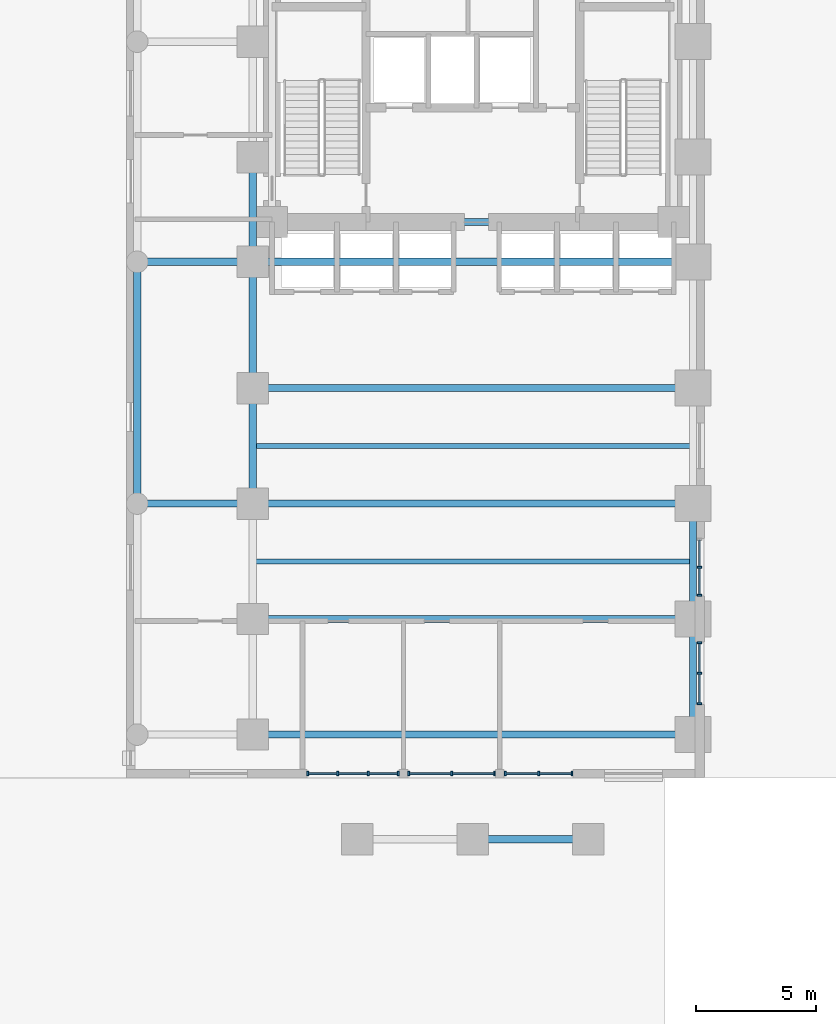
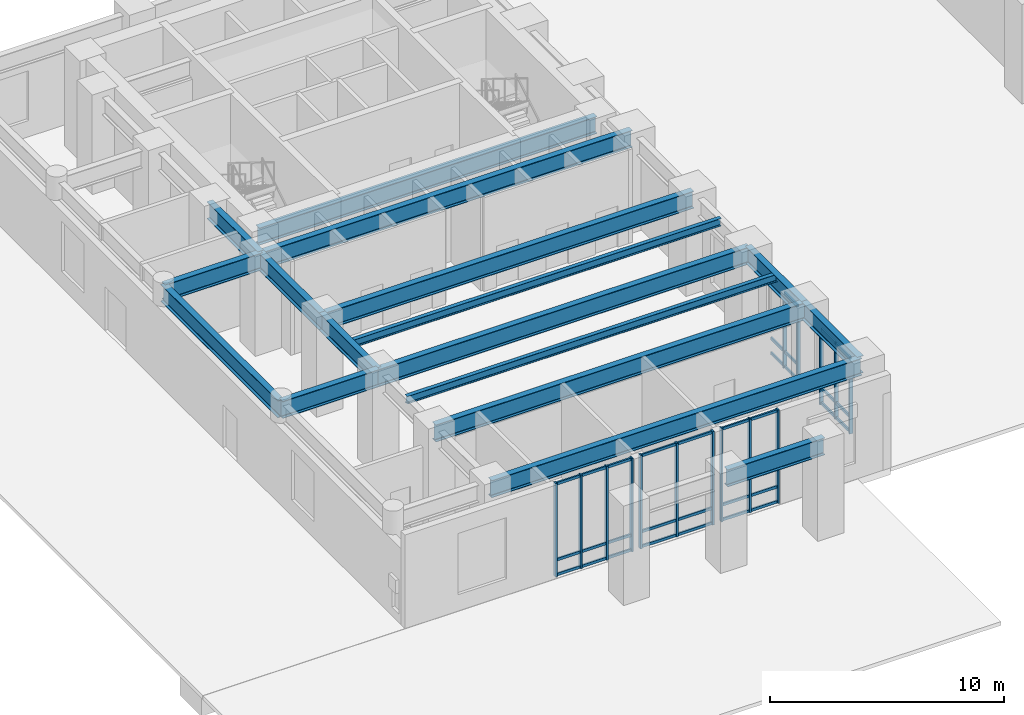
# One storey, part 2 of 16: 47 members, 17 beams, 5 elements without a shape of their own.
"""IFC4 building model written with IfcOpenShell, lengths in metres."""

from ifc_helpers import new_model, si_unit, direction, frame, origin, origin_2d, place, context, subcontext, project, spatial, rectangle, i_section, extrude, material, material_profile, profile_set, type_object, element, aggregate, save


model = new_model("IFC4")

# Units and contexts
model_context = context("Model", 3, precision=1e-05, world=origin(), true_north=direction((0.0, 1.0)))
body_context = subcontext(model_context, "Body", "Model", "MODEL_VIEW")
ifc_project = project(units=[si_unit("LENGTHUNIT", "METRE"), si_unit("AREAUNIT", "SQUARE_METRE"), si_unit("VOLUMEUNIT", "CUBIC_METRE"), si_unit("PLANEANGLEUNIT", "RADIAN"), si_unit("MASSUNIT", "GRAM", prefix="KILO")], contexts=[model_context])

# Site, building, storey
site_placement = place(None, origin())
site = spatial("IfcSite", under=ifc_project, at=site_placement, CompositionType="ELEMENT")
building_placement = place(site_placement, origin())
building = spatial("IfcBuilding", under=site, at=building_placement, Name="Orvandelia Arch Residences", CompositionType="ELEMENT")
storey_placement = place(building_placement, origin())
storey = spatial("IfcBuildingStorey", under=building, at=storey_placement, Name="L00", CompositionType="ELEMENT", Elevation=0.0)

# Beams
ifc_material_1 = material(Name="Structural Steel HSA650 (650 MPa)", Category="steel")
ifc_material_profile_1 = material_profile(ifc_material_1, i_section(OverallWidth=0.300048828125, OverallDepth=0.89990234375, WebThickness=0.01611328125, FlangeThickness=0.028076171875, FilletRadius=0.028076171875, at=origin_2d()), Name="Structural Steel HSA650 (650 MPa)", Category="steel")
ifc_profile_set_1 = profile_set([ifc_material_profile_1], Name="Structural Steel HSA650 (650 MPa)")
beam_type_1 = type_object("IfcBeamType", Name="BM-GRD-H900", PredefinedType="BEAM", material=ifc_profile_set_1)
beam_1_placement = place(storey_placement, frame((0.449951171875, 19.199951171875, 4.43994140625), z_axis=(0.0, 1.0, 0.0), x_axis=(-1.0, 0.0, 0.0)))
element("IfcBeam", 1, at=beam_1_placement, inside=storey, type_object=beam_type_1, Name="Structural Frame Beam L00-NS-002", PredefinedType="BEAM", context=body_context, shape_type="SweptSolid", body=[
    extrude(i_section(OverallWidth=0.300048828125, OverallDepth=0.89990234375, WebThickness=0.01611328125, FlangeThickness=0.028076171875, FilletRadius=0.028076171875, at=origin_2d()), origin(), (0.0, 0.0, 1.0), 10.050048828125),
])
beam_2_placement = place(storey_placement, frame((5.25, 19.199951171875, 4.43994140625), z_axis=(0.0, 1.0, 0.0), x_axis=(-1.0, 0.0, 0.0)))
element("IfcBeam", 2, at=beam_2_placement, inside=storey, type_object=beam_type_1, Name="Structural Frame Beam L00-NS-007", PredefinedType="BEAM", context=body_context, shape_type="SweptSolid", body=[
    extrude(i_section(OverallWidth=0.300048828125, OverallDepth=0.89990234375, WebThickness=0.01611328125, FlangeThickness=0.028076171875, FilletRadius=0.028076171875, at=origin_2d()), origin(), (0.0, 0.0, 1.0), 4.800048828125),
])
beam_3_placement = place(storey_placement, frame((5.25, 24.0, 4.43994140625), z_axis=(0.0, 1.0, 0.0), x_axis=(-1.0, 0.0, 0.0)))
element("IfcBeam", 3, at=beam_3_placement, inside=storey, type_object=beam_type_1, Name="Structural Frame Beam L00-NS-008", PredefinedType="BEAM", context=body_context, shape_type="SweptSolid", body=[
    extrude(i_section(OverallWidth=0.300048828125, OverallDepth=0.89990234375, WebThickness=0.01611328125, FlangeThickness=0.028076171875, FilletRadius=0.028076171875, at=origin_2d()), origin(), (0.0, 0.0, 1.0), 5.25),
])
beam_4_placement = place(storey_placement, frame((5.25, 29.25, 4.43994140625), z_axis=(0.0, 1.0, 0.0), x_axis=(-1.0, 0.0, 0.0)))
element("IfcBeam", 4, at=beam_4_placement, inside=storey, type_object=beam_type_1, Name="Structural Frame Beam L00-NS-009", PredefinedType="BEAM", context=body_context, shape_type="SweptSolid", body=[
    extrude(i_section(OverallWidth=0.300048828125, OverallDepth=0.89990234375, WebThickness=0.01611328125, FlangeThickness=0.028076171875, FilletRadius=0.028076171875, at=origin_2d()), origin(), (0.0, 0.0, 1.0), 4.35009765625),
])
beam_5_placement = place(storey_placement, frame((23.550048828125, 9.60009765625, 4.43994140625), z_axis=(0.0, 1.0, 0.0), x_axis=(-1.0, 0.0, 0.0)))
element("IfcBeam", 5, at=beam_5_placement, inside=storey, type_object=beam_type_1, Name="Structural Frame Beam L00-NS-014", PredefinedType="BEAM", context=body_context, shape_type="SweptSolid", body=[
    extrude(i_section(OverallWidth=0.300048828125, OverallDepth=0.89990234375, WebThickness=0.01611328125, FlangeThickness=0.028076171875, FilletRadius=0.028076171875, at=origin_2d()), origin(), (0.0, 0.0, 1.0), 4.7998046875),
])
for number, where, z_axis, x_axis, name in (
    (6, (23.550048828125, 14.39990234375, 4.43994140625), (0.0, 1.0, 0.0), (-1.0, 0.0, 0.0), "Structural Frame Beam L00-NS-015"),
    (7, (14.39990234375, 5.25, 4.43994140625), (1.0, 0.0, 0.0), (0.0, 1.0, 0.0), "Structural Frame Girder L00-EW-037"),
):
    element("IfcBeam", number, at=place(storey_placement, frame(where, z_axis=z_axis, x_axis=x_axis)), inside=storey, type_object=beam_type_1, Name=name, PredefinedType="BEAM", context=body_context, shape_type="SweptSolid", body=[
        extrude(i_section(OverallWidth=0.300048828125, OverallDepth=0.89990234375, WebThickness=0.01611328125, FlangeThickness=0.028076171875, FilletRadius=0.028076171875, at=origin_2d()), origin(), (0.0, 0.0, 1.0), 4.800048828125),
    ])
for number, where, z_axis, x_axis, name in (
    (8, (5.25, 9.60009765625, 4.43994140625), (1.0, 0.0, 0.0), (0.0, 1.0, 0.0), "Structural Frame Girder L00-EW-039"),
    (9, (5.25, 14.39990234375, 4.43994140625), (1.0, 0.0, 0.0), (0.0, 1.0, 0.0), "Structural Frame Girder L00-EW-041"),
):
    element("IfcBeam", number, at=place(storey_placement, frame(where, z_axis=z_axis, x_axis=x_axis)), inside=storey, type_object=beam_type_1, Name=name, PredefinedType="BEAM", context=body_context, shape_type="SweptSolid", body=[
        extrude(i_section(OverallWidth=0.300048828125, OverallDepth=0.89990234375, WebThickness=0.01611328125, FlangeThickness=0.028076171875, FilletRadius=0.028076171875, at=origin_2d()), origin(), (0.0, 0.0, 1.0), 18.300048828125),
    ])
beam_6_placement = place(storey_placement, frame((0.449951171875, 19.199951171875, 4.43994140625), z_axis=(1.0, 0.0, 0.0), x_axis=(0.0, 1.0, 0.0)))
element("IfcBeam", 10, at=beam_6_placement, inside=storey, type_object=beam_type_1, Name="Structural Frame Girder L00-EW-042", PredefinedType="BEAM", context=body_context, shape_type="SweptSolid", body=[
    extrude(i_section(OverallWidth=0.300048828125, OverallDepth=0.89990234375, WebThickness=0.01611328125, FlangeThickness=0.028076171875, FilletRadius=0.028076171875, at=origin_2d()), origin(), (0.0, 0.0, 1.0), 4.800048828125),
])
for number, where, z_axis, x_axis, name in (
    (11, (5.25, 19.199951171875, 4.43994140625), (1.0, 0.0, 0.0), (0.0, 1.0, 0.0), "Structural Frame Girder L00-EW-043"),
    (12, (5.25, 24.0, 4.43994140625), (1.0, 0.0, 0.0), (0.0, 1.0, 0.0), "Structural Frame Girder L00-EW-045"),
):
    element("IfcBeam", number, at=place(storey_placement, frame(where, z_axis=z_axis, x_axis=x_axis)), inside=storey, type_object=beam_type_1, Name=name, PredefinedType="BEAM", context=body_context, shape_type="SweptSolid", body=[
        extrude(i_section(OverallWidth=0.300048828125, OverallDepth=0.89990234375, WebThickness=0.01611328125, FlangeThickness=0.028076171875, FilletRadius=0.028076171875, at=origin_2d()), origin(), (0.0, 0.0, 1.0), 18.300048828125),
    ])
beam_7_placement = place(storey_placement, frame((0.449951171875, 29.25, 4.43994140625), z_axis=(1.0, 0.0, 0.0), x_axis=(0.0, 1.0, 0.0)))
element("IfcBeam", 13, at=beam_7_placement, inside=storey, type_object=beam_type_1, Name="Structural Frame Girder L00-EW-046", PredefinedType="BEAM", context=body_context, shape_type="SweptSolid", body=[
    extrude(i_section(OverallWidth=0.300048828125, OverallDepth=0.89990234375, WebThickness=0.01611328125, FlangeThickness=0.028076171875, FilletRadius=0.028076171875, at=origin_2d()), origin(), (0.0, 0.0, 1.0), 4.800048828125),
])
beam_8_placement = place(storey_placement, frame((5.25, 29.25, 4.43994140625), z_axis=(1.0, 0.0, 0.0), x_axis=(0.0, 1.0, 0.0)))
element("IfcBeam", 14, at=beam_8_placement, inside=storey, type_object=beam_type_1, Name="Structural Frame Girder L00-EW-047", PredefinedType="BEAM", context=body_context, shape_type="SweptSolid", body=[
    extrude(i_section(OverallWidth=0.300048828125, OverallDepth=0.89990234375, WebThickness=0.01611328125, FlangeThickness=0.028076171875, FilletRadius=0.028076171875, at=origin_2d()), origin(), (0.0, 0.0, 1.0), 18.300048828125),
])
beam_9_placement = place(storey_placement, frame((6.050048828125, 30.89990234375, 4.43994140625), z_axis=(1.0, 0.0, 0.0), x_axis=(0.0, 1.0, 0.0)))
element("IfcBeam", 15, at=beam_9_placement, inside=storey, type_object=beam_type_1, Name="Structural Frame Girder L00-EW-051", PredefinedType="BEAM", context=body_context, shape_type="SweptSolid", body=[
    extrude(i_section(OverallWidth=0.300048828125, OverallDepth=0.89990234375, WebThickness=0.01611328125, FlangeThickness=0.028076171875, FilletRadius=0.028076171875, at=origin_2d()), origin(), (0.0, 0.0, 1.0), 16.699951171875),
])
ifc_material_2 = material(Name="Structural Steel SM355 (355 MPa)", Category="steel")
ifc_material_profile_2 = material_profile(ifc_material_2, i_section(OverallWidth=0.199951171875, OverallDepth=0.39990234375, WebThickness=0.008056640625, FlangeThickness=0.012939453125, FilletRadius=0.01611328125, at=origin_2d()), Name="Structural Steel SM355 (355 MPa)", Category="steel")
ifc_profile_set_2 = profile_set([ifc_material_profile_2], Name="Structural Steel SM355 (355 MPa)")
beam_type_2 = type_object("IfcBeamType", Name="BM-JST-H400", PredefinedType="JOIST", material=ifc_profile_set_2)
for number, where, z_axis, x_axis, name in (
    (16, (5.25, 16.800048828125, 4.68994140625), (1.0, 0.0, 0.0), (0.0, 1.0, 0.0), "Composite Floor Joist L00-J1"),
    (17, (5.25, 21.60009765625, 4.68994140625), (1.0, 0.0, 0.0), (0.0, 1.0, 0.0), "Composite Floor Joist L00-J2"),
):
    element("IfcBeam", number, at=place(storey_placement, frame(where, z_axis=z_axis, x_axis=x_axis)), inside=storey, type_object=beam_type_2, Name=name, PredefinedType="JOIST", context=body_context, shape_type="SweptSolid", body=[
        extrude(i_section(OverallWidth=0.199951171875, OverallDepth=0.39990234375, WebThickness=0.008056640625, FlangeThickness=0.012939453125, FilletRadius=0.01611328125, at=origin_2d()), origin(), (0.0, 0.0, 1.0), 18.300048828125),
    ])

# Curtain wall, members
ifc_material_3 = material(Name="Anodised Bronze Curtain Wall Assembly")
curtain_wall_type_1 = type_object("IfcCurtainWallType", Name="CW-SYS1-PODIUM", PredefinedType="NOTDEFINED", material=ifc_material_3)
curtain_wall_1_placement = place(storey_placement, origin())
curtain_wall_1 = element("IfcCurtainWall", 18, at=curtain_wall_1_placement, inside=storey, type_object=curtain_wall_type_1, Name="Ground Lobby Curtain Wall 1", PredefinedType="NOTDEFINED")
ifc_material_4 = material(Name="Anodised Aluminium Alloy 6063-T6", Category="aluminium")
ifc_material_profile_3 = material_profile(ifc_material_4, rectangle(XDim=0.080078125, YDim=0.179931640625, at=origin_2d()), Name="Anodised Aluminium Alloy 6063-T6", Category="aluminium")
ifc_profile_set_3 = profile_set([ifc_material_profile_3], Name="Anodised Aluminium Alloy 6063-T6")
member_type_1 = type_object("IfcMemberType", Name="CW-MULLION-80x160", PredefinedType="MULLION", material=ifc_profile_set_3)
member_1_placement = place(storey_placement, frame((7.5400390625, 7.97998046875, 0.0), z_axis=(0.0, 0.0, 1.0), x_axis=(1.0, 0.0, 0.0)))
member_1 = element("IfcMember", 19, at=member_1_placement, type_object=member_type_1, Name="Curtain Wall Mullion CW-L00-1-M1", PredefinedType="MULLION", context=body_context, shape_type="SweptSolid", body=[
    extrude(rectangle(XDim=0.080078125, YDim=0.179931640625, at=origin_2d()), origin(), (0.0, 0.0, 1.0), 4.889892578125),
])
member_2_placement = place(storey_placement, frame((8.780029296875, 7.97998046875, 0.0), z_axis=(0.0, 0.0, 1.0), x_axis=(1.0, 0.0, 0.0)))
member_2 = element("IfcMember", 20, at=member_2_placement, type_object=member_type_1, Name="Curtain Wall Mullion CW-L00-1-M2", PredefinedType="MULLION", context=body_context, shape_type="SweptSolid", body=[
    extrude(rectangle(XDim=0.080078125, YDim=0.179931640625, at=origin_2d()), origin(), (0.0, 0.0, 1.0), 4.889892578125),
])
member_3_placement = place(storey_placement, frame((10.06005859375, 7.97998046875, 0.0), z_axis=(0.0, 0.0, 1.0), x_axis=(1.0, 0.0, 0.0)))
member_3 = element("IfcMember", 21, at=member_3_placement, type_object=member_type_1, Name="Curtain Wall Mullion CW-L00-1-M3", PredefinedType="MULLION", context=body_context, shape_type="SweptSolid", body=[
    extrude(rectangle(XDim=0.080078125, YDim=0.179931640625, at=origin_2d()), origin(), (0.0, 0.0, 1.0), 4.889892578125),
])
member_4_placement = place(storey_placement, frame((11.300048828125, 7.97998046875, 0.0), z_axis=(0.0, 0.0, 1.0), x_axis=(1.0, 0.0, 0.0)))
member_4 = element("IfcMember", 22, at=member_4_placement, type_object=member_type_1, Name="Curtain Wall Mullion CW-L00-1-M4", PredefinedType="MULLION", context=body_context, shape_type="SweptSolid", body=[
    extrude(rectangle(XDim=0.080078125, YDim=0.179931640625, at=origin_2d()), origin(), (0.0, 0.0, 1.0), 4.889892578125),
])

curtain_wall_2_placement = place(storey_placement, origin())
curtain_wall_2 = element("IfcCurtainWall", 23, at=curtain_wall_2_placement, inside=storey, type_object=curtain_wall_type_1, Name="Ground Lobby Curtain Wall 2", PredefinedType="NOTDEFINED")
member_5_placement = place(storey_placement, frame((11.739990234375, 7.97998046875, 0.0), z_axis=(0.0, 0.0, 1.0), x_axis=(1.0, 0.0, 0.0)))
member_5 = element("IfcMember", 24, at=member_5_placement, type_object=member_type_1, Name="Curtain Wall Mullion CW-L00-2-M1", PredefinedType="MULLION", context=body_context, shape_type="SweptSolid", body=[
    extrude(rectangle(XDim=0.080078125, YDim=0.179931640625, at=origin_2d()), origin(), (0.0, 0.0, 1.0), 4.889892578125),
])
member_6_placement = place(storey_placement, frame((13.52001953125, 7.97998046875, 0.0), z_axis=(0.0, 0.0, 1.0), x_axis=(1.0, 0.0, 0.0)))
member_6 = element("IfcMember", 25, at=member_6_placement, type_object=member_type_1, Name="Curtain Wall Mullion CW-L00-2-M2", PredefinedType="MULLION", context=body_context, shape_type="SweptSolid", body=[
    extrude(rectangle(XDim=0.080078125, YDim=0.179931640625, at=origin_2d()), origin(), (0.0, 0.0, 1.0), 4.889892578125),
])
member_7_placement = place(storey_placement, frame((15.300048828125, 7.97998046875, 0.0), z_axis=(0.0, 0.0, 1.0), x_axis=(1.0, 0.0, 0.0)))
member_7 = element("IfcMember", 26, at=member_7_placement, type_object=member_type_1, Name="Curtain Wall Mullion CW-L00-2-M3", PredefinedType="MULLION", context=body_context, shape_type="SweptSolid", body=[
    extrude(rectangle(XDim=0.080078125, YDim=0.179931640625, at=origin_2d()), origin(), (0.0, 0.0, 1.0), 4.889892578125),
])

curtain_wall_3_placement = place(storey_placement, origin())
curtain_wall_3 = element("IfcCurtainWall", 27, at=curtain_wall_3_placement, inside=storey, type_object=curtain_wall_type_1, Name="Ground Lobby Curtain Wall 3", PredefinedType="NOTDEFINED")
member_8_placement = place(storey_placement, frame((15.739990234375, 7.97998046875, 0.0), z_axis=(0.0, 0.0, 1.0), x_axis=(1.0, 0.0, 0.0)))
member_8 = element("IfcMember", 28, at=member_8_placement, type_object=member_type_1, Name="Curtain Wall Mullion CW-L00-3-M1", PredefinedType="MULLION", context=body_context, shape_type="SweptSolid", body=[
    extrude(rectangle(XDim=0.080078125, YDim=0.179931640625, at=origin_2d()), origin(), (0.0, 0.0, 1.0), 4.889892578125),
])
member_9_placement = place(storey_placement, frame((17.1298828125, 7.97998046875, 0.0), z_axis=(0.0, 0.0, 1.0), x_axis=(1.0, 0.0, 0.0)))
member_9 = element("IfcMember", 29, at=member_9_placement, type_object=member_type_1, Name="Curtain Wall Mullion CW-L00-3-M2", PredefinedType="MULLION", context=body_context, shape_type="SweptSolid", body=[
    extrude(rectangle(XDim=0.080078125, YDim=0.179931640625, at=origin_2d()), origin(), (0.0, 0.0, 1.0), 4.889892578125),
])
member_10_placement = place(storey_placement, frame((18.52001953125, 7.97998046875, 0.0), z_axis=(0.0, 0.0, 1.0), x_axis=(1.0, 0.0, 0.0)))
member_10 = element("IfcMember", 30, at=member_10_placement, type_object=member_type_1, Name="Curtain Wall Mullion CW-L00-3-M3", PredefinedType="MULLION", context=body_context, shape_type="SweptSolid", body=[
    extrude(rectangle(XDim=0.080078125, YDim=0.179931640625, at=origin_2d()), origin(), (0.0, 0.0, 1.0), 4.889892578125),
])

curtain_wall_type_2 = type_object("IfcCurtainWallType", Name="CW-SYS2-ARCH", PredefinedType="NOTDEFINED", material=ifc_material_3)
curtain_wall_4_placement = place(storey_placement, origin())
curtain_wall_4 = element("IfcCurtainWall", 31, at=curtain_wall_4_placement, inside=storey, type_object=curtain_wall_type_2, Name="Arch West Pier Glazed Arcade 5", PredefinedType="NOTDEFINED")
member_11_placement = place(storey_placement, frame((23.820068359375, 10.8798828125, 0.0), z_axis=(0.0, 0.0, 1.0), x_axis=(0.0, 1.0, 0.0)))
member_11 = element("IfcMember", 32, at=member_11_placement, type_object=member_type_1, Name="Curtain Wall Mullion CW-L00-5-M1", PredefinedType="MULLION", context=body_context, shape_type="SweptSolid", body=[
    extrude(rectangle(XDim=0.080078125, YDim=0.179931640625, at=origin_2d()), origin(), (0.0, 0.0, 1.0), 3.989990234375),
])
member_12_placement = place(storey_placement, frame((23.820068359375, 12.14501953125, 0.0), z_axis=(0.0, 0.0, 1.0), x_axis=(0.0, 1.0, 0.0)))
member_12 = element("IfcMember", 33, at=member_12_placement, type_object=member_type_1, Name="Curtain Wall Mullion CW-L00-5-M2", PredefinedType="MULLION", context=body_context, shape_type="SweptSolid", body=[
    extrude(rectangle(XDim=0.080078125, YDim=0.179931640625, at=origin_2d()), origin(), (0.0, 0.0, 1.0), 3.989990234375),
])
member_13_placement = place(storey_placement, frame((23.820068359375, 13.409912109375, 0.0), z_axis=(0.0, 0.0, 1.0), x_axis=(0.0, 1.0, 0.0)))
member_13 = element("IfcMember", 34, at=member_13_placement, type_object=member_type_1, Name="Curtain Wall Mullion CW-L00-5-M3", PredefinedType="MULLION", context=body_context, shape_type="SweptSolid", body=[
    extrude(rectangle(XDim=0.080078125, YDim=0.179931640625, at=origin_2d()), origin(), (0.0, 0.0, 1.0), 3.989990234375),
])

curtain_wall_5_placement = place(storey_placement, origin())
curtain_wall_5 = element("IfcCurtainWall", 35, at=curtain_wall_5_placement, inside=storey, type_object=curtain_wall_type_2, Name="Arch West Pier Glazed Arcade 6", PredefinedType="NOTDEFINED")
member_14_placement = place(storey_placement, frame((23.820068359375, 15.389892578125, 0.0), z_axis=(0.0, 0.0, 1.0), x_axis=(0.0, 1.0, 0.0)))
member_14 = element("IfcMember", 36, at=member_14_placement, type_object=member_type_1, Name="Curtain Wall Mullion CW-L00-6-M1", PredefinedType="MULLION", context=body_context, shape_type="SweptSolid", body=[
    extrude(rectangle(XDim=0.080078125, YDim=0.179931640625, at=origin_2d()), origin(), (0.0, 0.0, 1.0), 3.989990234375),
])
member_15_placement = place(storey_placement, frame((23.820068359375, 16.554931640625, 0.0), z_axis=(0.0, 0.0, 1.0), x_axis=(0.0, 1.0, 0.0)))
member_15 = element("IfcMember", 37, at=member_15_placement, type_object=member_type_1, Name="Curtain Wall Mullion CW-L00-6-M2", PredefinedType="MULLION", context=body_context, shape_type="SweptSolid", body=[
    extrude(rectangle(XDim=0.080078125, YDim=0.179931640625, at=origin_2d()), origin(), (0.0, 0.0, 1.0), 3.989990234375),
])

# Member
ifc_material_profile_4 = material_profile(ifc_material_4, rectangle(XDim=0.080078125, YDim=0.139892578125, at=origin_2d()), Name="Anodised Aluminium Alloy 6063-T6", Category="aluminium")
ifc_profile_set_4 = profile_set([ifc_material_profile_4], Name="Anodised Aluminium Alloy 6063-T6")
member_type_2 = type_object("IfcMemberType", Name="CW-TRANSOM-80x140", PredefinedType="USERDEFINED", material=ifc_profile_set_4)
member_16_placement = place(storey_placement, frame((7.56494140625, 7.97998046875, 0.070068359375), z_axis=(1.0, 0.0, 0.0), x_axis=(0.0, 1.0, 0.0)))
member_16 = element("IfcMember", 38, at=member_16_placement, type_object=member_type_2, Name="Curtain Wall Transom CW-L00-1-T1-1", ObjectType="TRANSOM", PredefinedType="USERDEFINED", context=body_context, shape_type="SweptSolid", body=[
    extrude(rectangle(XDim=0.080078125, YDim=0.139892578125, at=origin_2d()), origin(), (0.0, 0.0, 1.0), 1.18994140625),
])

member_17_placement = place(storey_placement, frame((7.56494140625, 7.97998046875, 0.85009765625), z_axis=(1.0, 0.0, 0.0), x_axis=(0.0, 1.0, 0.0)))
member_17 = element("IfcMember", 39, at=member_17_placement, type_object=member_type_2, Name="Curtain Wall Transom CW-L00-1-T1-2", ObjectType="TRANSOM", PredefinedType="USERDEFINED", context=body_context, shape_type="SweptSolid", body=[
    extrude(rectangle(XDim=0.080078125, YDim=0.139892578125, at=origin_2d()), origin(), (0.0, 0.0, 1.0), 1.18994140625),
])

member_18_placement = place(storey_placement, frame((7.56494140625, 7.97998046875, 4.820068359375), z_axis=(1.0, 0.0, 0.0), x_axis=(0.0, 1.0, 0.0)))
member_18 = element("IfcMember", 40, at=member_18_placement, type_object=member_type_2, Name="Curtain Wall Transom CW-L00-1-T1-3", ObjectType="TRANSOM", PredefinedType="USERDEFINED", context=body_context, shape_type="SweptSolid", body=[
    extrude(rectangle(XDim=0.080078125, YDim=0.139892578125, at=origin_2d()), origin(), (0.0, 0.0, 1.0), 1.18994140625),
])

member_19_placement = place(storey_placement, frame((8.804931640625, 7.97998046875, 0.070068359375), z_axis=(1.0, 0.0, 0.0), x_axis=(0.0, 1.0, 0.0)))
member_19 = element("IfcMember", 41, at=member_19_placement, type_object=member_type_2, Name="Curtain Wall Transom CW-L00-1-T2-1", ObjectType="TRANSOM", PredefinedType="USERDEFINED", context=body_context, shape_type="SweptSolid", body=[
    extrude(rectangle(XDim=0.080078125, YDim=0.139892578125, at=origin_2d()), origin(), (0.0, 0.0, 1.0), 1.22998046875),
])

member_20_placement = place(storey_placement, frame((8.804931640625, 7.97998046875, 0.85009765625), z_axis=(1.0, 0.0, 0.0), x_axis=(0.0, 1.0, 0.0)))
member_20 = element("IfcMember", 42, at=member_20_placement, type_object=member_type_2, Name="Curtain Wall Transom CW-L00-1-T2-2", ObjectType="TRANSOM", PredefinedType="USERDEFINED", context=body_context, shape_type="SweptSolid", body=[
    extrude(rectangle(XDim=0.080078125, YDim=0.139892578125, at=origin_2d()), origin(), (0.0, 0.0, 1.0), 1.22998046875),
])

member_21_placement = place(storey_placement, frame((8.804931640625, 7.97998046875, 4.820068359375), z_axis=(1.0, 0.0, 0.0), x_axis=(0.0, 1.0, 0.0)))
member_21 = element("IfcMember", 43, at=member_21_placement, type_object=member_type_2, Name="Curtain Wall Transom CW-L00-1-T2-3", ObjectType="TRANSOM", PredefinedType="USERDEFINED", context=body_context, shape_type="SweptSolid", body=[
    extrude(rectangle(XDim=0.080078125, YDim=0.139892578125, at=origin_2d()), origin(), (0.0, 0.0, 1.0), 1.22998046875),
])

member_22_placement = place(storey_placement, frame((10.0849609375, 7.97998046875, 0.070068359375), z_axis=(1.0, 0.0, 0.0), x_axis=(0.0, 1.0, 0.0)))
member_22 = element("IfcMember", 44, at=member_22_placement, type_object=member_type_2, Name="Curtain Wall Transom CW-L00-1-T3-1", ObjectType="TRANSOM", PredefinedType="USERDEFINED", context=body_context, shape_type="SweptSolid", body=[
    extrude(rectangle(XDim=0.080078125, YDim=0.139892578125, at=origin_2d()), origin(), (0.0, 0.0, 1.0), 1.18994140625),
])

member_23_placement = place(storey_placement, frame((10.0849609375, 7.97998046875, 0.85009765625), z_axis=(1.0, 0.0, 0.0), x_axis=(0.0, 1.0, 0.0)))
member_23 = element("IfcMember", 45, at=member_23_placement, type_object=member_type_2, Name="Curtain Wall Transom CW-L00-1-T3-2", ObjectType="TRANSOM", PredefinedType="USERDEFINED", context=body_context, shape_type="SweptSolid", body=[
    extrude(rectangle(XDim=0.080078125, YDim=0.139892578125, at=origin_2d()), origin(), (0.0, 0.0, 1.0), 1.18994140625),
])

member_24_placement = place(storey_placement, frame((10.0849609375, 7.97998046875, 4.820068359375), z_axis=(1.0, 0.0, 0.0), x_axis=(0.0, 1.0, 0.0)))
member_24 = element("IfcMember", 46, at=member_24_placement, type_object=member_type_2, Name="Curtain Wall Transom CW-L00-1-T3-3", ObjectType="TRANSOM", PredefinedType="USERDEFINED", context=body_context, shape_type="SweptSolid", body=[
    extrude(rectangle(XDim=0.080078125, YDim=0.139892578125, at=origin_2d()), origin(), (0.0, 0.0, 1.0), 1.18994140625),
])

aggregate(curtain_wall_1, [member_1, member_2, member_3, member_4, member_16, member_17, member_18, member_19, member_20, member_21, member_22, member_23, member_24])

member_25_placement = place(storey_placement, frame((11.764892578125, 7.97998046875, 0.070068359375), z_axis=(1.0, 0.0, 0.0), x_axis=(0.0, 1.0, 0.0)))
member_25 = element("IfcMember", 47, at=member_25_placement, type_object=member_type_2, Name="Curtain Wall Transom CW-L00-2-T1-1", ObjectType="TRANSOM", PredefinedType="USERDEFINED", context=body_context, shape_type="SweptSolid", body=[
    extrude(rectangle(XDim=0.080078125, YDim=0.139892578125, at=origin_2d()), origin(), (0.0, 0.0, 1.0), 1.730224609375),
])

member_26_placement = place(storey_placement, frame((11.764892578125, 7.97998046875, 0.85009765625), z_axis=(1.0, 0.0, 0.0), x_axis=(0.0, 1.0, 0.0)))
member_26 = element("IfcMember", 48, at=member_26_placement, type_object=member_type_2, Name="Curtain Wall Transom CW-L00-2-T1-2", ObjectType="TRANSOM", PredefinedType="USERDEFINED", context=body_context, shape_type="SweptSolid", body=[
    extrude(rectangle(XDim=0.080078125, YDim=0.139892578125, at=origin_2d()), origin(), (0.0, 0.0, 1.0), 1.730224609375),
])

member_27_placement = place(storey_placement, frame((11.764892578125, 7.97998046875, 4.820068359375), z_axis=(1.0, 0.0, 0.0), x_axis=(0.0, 1.0, 0.0)))
member_27 = element("IfcMember", 49, at=member_27_placement, type_object=member_type_2, Name="Curtain Wall Transom CW-L00-2-T1-3", ObjectType="TRANSOM", PredefinedType="USERDEFINED", context=body_context, shape_type="SweptSolid", body=[
    extrude(rectangle(XDim=0.080078125, YDim=0.139892578125, at=origin_2d()), origin(), (0.0, 0.0, 1.0), 1.730224609375),
])

member_28_placement = place(storey_placement, frame((13.544921875, 7.97998046875, 0.070068359375), z_axis=(1.0, 0.0, 0.0), x_axis=(0.0, 1.0, 0.0)))
member_28 = element("IfcMember", 50, at=member_28_placement, type_object=member_type_2, Name="Curtain Wall Transom CW-L00-2-T2-1", ObjectType="TRANSOM", PredefinedType="USERDEFINED", context=body_context, shape_type="SweptSolid", body=[
    extrude(rectangle(XDim=0.080078125, YDim=0.139892578125, at=origin_2d()), origin(), (0.0, 0.0, 1.0), 1.72998046875),
])

member_29_placement = place(storey_placement, frame((13.544921875, 7.97998046875, 0.85009765625), z_axis=(1.0, 0.0, 0.0), x_axis=(0.0, 1.0, 0.0)))
member_29 = element("IfcMember", 51, at=member_29_placement, type_object=member_type_2, Name="Curtain Wall Transom CW-L00-2-T2-2", ObjectType="TRANSOM", PredefinedType="USERDEFINED", context=body_context, shape_type="SweptSolid", body=[
    extrude(rectangle(XDim=0.080078125, YDim=0.139892578125, at=origin_2d()), origin(), (0.0, 0.0, 1.0), 1.72998046875),
])

member_30_placement = place(storey_placement, frame((13.544921875, 7.97998046875, 4.820068359375), z_axis=(1.0, 0.0, 0.0), x_axis=(0.0, 1.0, 0.0)))
member_30 = element("IfcMember", 52, at=member_30_placement, type_object=member_type_2, Name="Curtain Wall Transom CW-L00-2-T2-3", ObjectType="TRANSOM", PredefinedType="USERDEFINED", context=body_context, shape_type="SweptSolid", body=[
    extrude(rectangle(XDim=0.080078125, YDim=0.139892578125, at=origin_2d()), origin(), (0.0, 0.0, 1.0), 1.72998046875),
])

aggregate(curtain_wall_2, [member_5, member_6, member_7, member_25, member_26, member_27, member_28, member_29, member_30])

member_31_placement = place(storey_placement, frame((15.764892578125, 7.97998046875, 0.070068359375), z_axis=(1.0, 0.0, 0.0), x_axis=(0.0, 1.0, 0.0)))
member_31 = element("IfcMember", 53, at=member_31_placement, type_object=member_type_2, Name="Curtain Wall Transom CW-L00-3-T1-1", ObjectType="TRANSOM", PredefinedType="USERDEFINED", context=body_context, shape_type="SweptSolid", body=[
    extrude(rectangle(XDim=0.080078125, YDim=0.139892578125, at=origin_2d()), origin(), (0.0, 0.0, 1.0), 1.340087890625),
])

member_32_placement = place(storey_placement, frame((15.764892578125, 7.97998046875, 0.85009765625), z_axis=(1.0, 0.0, 0.0), x_axis=(0.0, 1.0, 0.0)))
member_32 = element("IfcMember", 54, at=member_32_placement, type_object=member_type_2, Name="Curtain Wall Transom CW-L00-3-T1-2", ObjectType="TRANSOM", PredefinedType="USERDEFINED", context=body_context, shape_type="SweptSolid", body=[
    extrude(rectangle(XDim=0.080078125, YDim=0.139892578125, at=origin_2d()), origin(), (0.0, 0.0, 1.0), 1.340087890625),
])

member_33_placement = place(storey_placement, frame((15.764892578125, 7.97998046875, 4.820068359375), z_axis=(1.0, 0.0, 0.0), x_axis=(0.0, 1.0, 0.0)))
member_33 = element("IfcMember", 55, at=member_33_placement, type_object=member_type_2, Name="Curtain Wall Transom CW-L00-3-T1-3", ObjectType="TRANSOM", PredefinedType="USERDEFINED", context=body_context, shape_type="SweptSolid", body=[
    extrude(rectangle(XDim=0.080078125, YDim=0.139892578125, at=origin_2d()), origin(), (0.0, 0.0, 1.0), 1.340087890625),
])

member_34_placement = place(storey_placement, frame((17.155029296875, 7.97998046875, 0.070068359375), z_axis=(1.0, 0.0, 0.0), x_axis=(0.0, 1.0, 0.0)))
member_34 = element("IfcMember", 56, at=member_34_placement, type_object=member_type_2, Name="Curtain Wall Transom CW-L00-3-T2-1", ObjectType="TRANSOM", PredefinedType="USERDEFINED", context=body_context, shape_type="SweptSolid", body=[
    extrude(rectangle(XDim=0.080078125, YDim=0.139892578125, at=origin_2d()), origin(), (0.0, 0.0, 1.0), 1.340087890625),
])

member_35_placement = place(storey_placement, frame((17.155029296875, 7.97998046875, 0.85009765625), z_axis=(1.0, 0.0, 0.0), x_axis=(0.0, 1.0, 0.0)))
member_35 = element("IfcMember", 57, at=member_35_placement, type_object=member_type_2, Name="Curtain Wall Transom CW-L00-3-T2-2", ObjectType="TRANSOM", PredefinedType="USERDEFINED", context=body_context, shape_type="SweptSolid", body=[
    extrude(rectangle(XDim=0.080078125, YDim=0.139892578125, at=origin_2d()), origin(), (0.0, 0.0, 1.0), 1.340087890625),
])

member_36_placement = place(storey_placement, frame((17.155029296875, 7.97998046875, 4.820068359375), z_axis=(1.0, 0.0, 0.0), x_axis=(0.0, 1.0, 0.0)))
member_36 = element("IfcMember", 58, at=member_36_placement, type_object=member_type_2, Name="Curtain Wall Transom CW-L00-3-T2-3", ObjectType="TRANSOM", PredefinedType="USERDEFINED", context=body_context, shape_type="SweptSolid", body=[
    extrude(rectangle(XDim=0.080078125, YDim=0.139892578125, at=origin_2d()), origin(), (0.0, 0.0, 1.0), 1.340087890625),
])

aggregate(curtain_wall_3, [member_8, member_9, member_10, member_31, member_32, member_33, member_34, member_35, member_36])

member_37_placement = place(storey_placement, frame((23.820068359375, 10.905029296875, 0.070068359375), z_axis=(0.0, 1.0, 0.0), x_axis=(-1.0, 0.0, 0.0)))
member_37 = element("IfcMember", 59, at=member_37_placement, type_object=member_type_2, Name="Curtain Wall Transom CW-L00-5-T1-1", ObjectType="TRANSOM", PredefinedType="USERDEFINED", context=body_context, shape_type="SweptSolid", body=[
    extrude(rectangle(XDim=0.080078125, YDim=0.139892578125, at=origin_2d()), origin(), (0.0, 0.0, 1.0), 1.215087890625),
])

member_38_placement = place(storey_placement, frame((23.820068359375, 10.905029296875, 0.85009765625), z_axis=(0.0, 1.0, 0.0), x_axis=(-1.0, 0.0, 0.0)))
member_38 = element("IfcMember", 60, at=member_38_placement, type_object=member_type_2, Name="Curtain Wall Transom CW-L00-5-T1-2", ObjectType="TRANSOM", PredefinedType="USERDEFINED", context=body_context, shape_type="SweptSolid", body=[
    extrude(rectangle(XDim=0.080078125, YDim=0.139892578125, at=origin_2d()), origin(), (0.0, 0.0, 1.0), 1.215087890625),
])

member_39_placement = place(storey_placement, frame((23.820068359375, 10.905029296875, 3.919921875), z_axis=(0.0, 1.0, 0.0), x_axis=(-1.0, 0.0, 0.0)))
member_39 = element("IfcMember", 61, at=member_39_placement, type_object=member_type_2, Name="Curtain Wall Transom CW-L00-5-T1-3", ObjectType="TRANSOM", PredefinedType="USERDEFINED", context=body_context, shape_type="SweptSolid", body=[
    extrude(rectangle(XDim=0.080078125, YDim=0.139892578125, at=origin_2d()), origin(), (0.0, 0.0, 1.0), 1.215087890625),
])

member_40_placement = place(storey_placement, frame((23.820068359375, 12.169921875, 0.070068359375), z_axis=(0.0, 1.0, 0.0), x_axis=(-1.0, 0.0, 0.0)))
member_40 = element("IfcMember", 62, at=member_40_placement, type_object=member_type_2, Name="Curtain Wall Transom CW-L00-5-T2-1", ObjectType="TRANSOM", PredefinedType="USERDEFINED", context=body_context, shape_type="SweptSolid", body=[
    extrude(rectangle(XDim=0.080078125, YDim=0.139892578125, at=origin_2d()), origin(), (0.0, 0.0, 1.0), 1.215087890625),
])

member_41_placement = place(storey_placement, frame((23.820068359375, 12.169921875, 0.85009765625), z_axis=(0.0, 1.0, 0.0), x_axis=(-1.0, 0.0, 0.0)))
member_41 = element("IfcMember", 63, at=member_41_placement, type_object=member_type_2, Name="Curtain Wall Transom CW-L00-5-T2-2", ObjectType="TRANSOM", PredefinedType="USERDEFINED", context=body_context, shape_type="SweptSolid", body=[
    extrude(rectangle(XDim=0.080078125, YDim=0.139892578125, at=origin_2d()), origin(), (0.0, 0.0, 1.0), 1.215087890625),
])

member_42_placement = place(storey_placement, frame((23.820068359375, 12.169921875, 3.919921875), z_axis=(0.0, 1.0, 0.0), x_axis=(-1.0, 0.0, 0.0)))
member_42 = element("IfcMember", 64, at=member_42_placement, type_object=member_type_2, Name="Curtain Wall Transom CW-L00-5-T2-3", ObjectType="TRANSOM", PredefinedType="USERDEFINED", context=body_context, shape_type="SweptSolid", body=[
    extrude(rectangle(XDim=0.080078125, YDim=0.139892578125, at=origin_2d()), origin(), (0.0, 0.0, 1.0), 1.215087890625),
])

aggregate(curtain_wall_4, [member_11, member_12, member_13, member_37, member_38, member_39, member_40, member_41, member_42])

member_43_placement = place(storey_placement, frame((23.820068359375, 15.4150390625, 0.070068359375), z_axis=(0.0, 1.0, 0.0), x_axis=(-1.0, 0.0, 0.0)))
member_43 = element("IfcMember", 65, at=member_43_placement, type_object=member_type_2, Name="Curtain Wall Transom CW-L00-6-T1-1", ObjectType="TRANSOM", PredefinedType="USERDEFINED", context=body_context, shape_type="SweptSolid", body=[
    extrude(rectangle(XDim=0.080078125, YDim=0.139892578125, at=origin_2d()), origin(), (0.0, 0.0, 1.0), 1.114990234375),
])

member_44_placement = place(storey_placement, frame((23.820068359375, 15.4150390625, 0.85009765625), z_axis=(0.0, 1.0, 0.0), x_axis=(-1.0, 0.0, 0.0)))
member_44 = element("IfcMember", 66, at=member_44_placement, type_object=member_type_2, Name="Curtain Wall Transom CW-L00-6-T1-2", ObjectType="TRANSOM", PredefinedType="USERDEFINED", context=body_context, shape_type="SweptSolid", body=[
    extrude(rectangle(XDim=0.080078125, YDim=0.139892578125, at=origin_2d()), origin(), (0.0, 0.0, 1.0), 1.114990234375),
])

member_45_placement = place(storey_placement, frame((23.820068359375, 15.4150390625, 3.919921875), z_axis=(0.0, 1.0, 0.0), x_axis=(-1.0, 0.0, 0.0)))
member_45 = element("IfcMember", 67, at=member_45_placement, type_object=member_type_2, Name="Curtain Wall Transom CW-L00-6-T1-3", ObjectType="TRANSOM", PredefinedType="USERDEFINED", context=body_context, shape_type="SweptSolid", body=[
    extrude(rectangle(XDim=0.080078125, YDim=0.139892578125, at=origin_2d()), origin(), (0.0, 0.0, 1.0), 1.114990234375),
])

member_46_placement = place(storey_placement, frame((23.820068359375, 16.580078125, 0.070068359375), z_axis=(0.0, 1.0, 0.0), x_axis=(-1.0, 0.0, 0.0)))
member_46 = element("IfcMember", 68, at=member_46_placement, type_object=member_type_2, Name="Curtain Wall Transom CW-L00-6-T2-1", ObjectType="TRANSOM", PredefinedType="USERDEFINED", context=body_context, shape_type="SweptSolid", body=[
    extrude(rectangle(XDim=0.080078125, YDim=0.139892578125, at=origin_2d()), origin(), (0.0, 0.0, 1.0), 1.114990234375),
])

member_47_placement = place(storey_placement, frame((23.820068359375, 16.580078125, 0.85009765625), z_axis=(0.0, 1.0, 0.0), x_axis=(-1.0, 0.0, 0.0)))
member_47 = element("IfcMember", 69, at=member_47_placement, type_object=member_type_2, Name="Curtain Wall Transom CW-L00-6-T2-2", ObjectType="TRANSOM", PredefinedType="USERDEFINED", context=body_context, shape_type="SweptSolid", body=[
    extrude(rectangle(XDim=0.080078125, YDim=0.139892578125, at=origin_2d()), origin(), (0.0, 0.0, 1.0), 1.114990234375),
])

aggregate(curtain_wall_5, [member_14, member_15, member_43, member_44, member_45, member_46, member_47])

save(model, "model.ifc")
